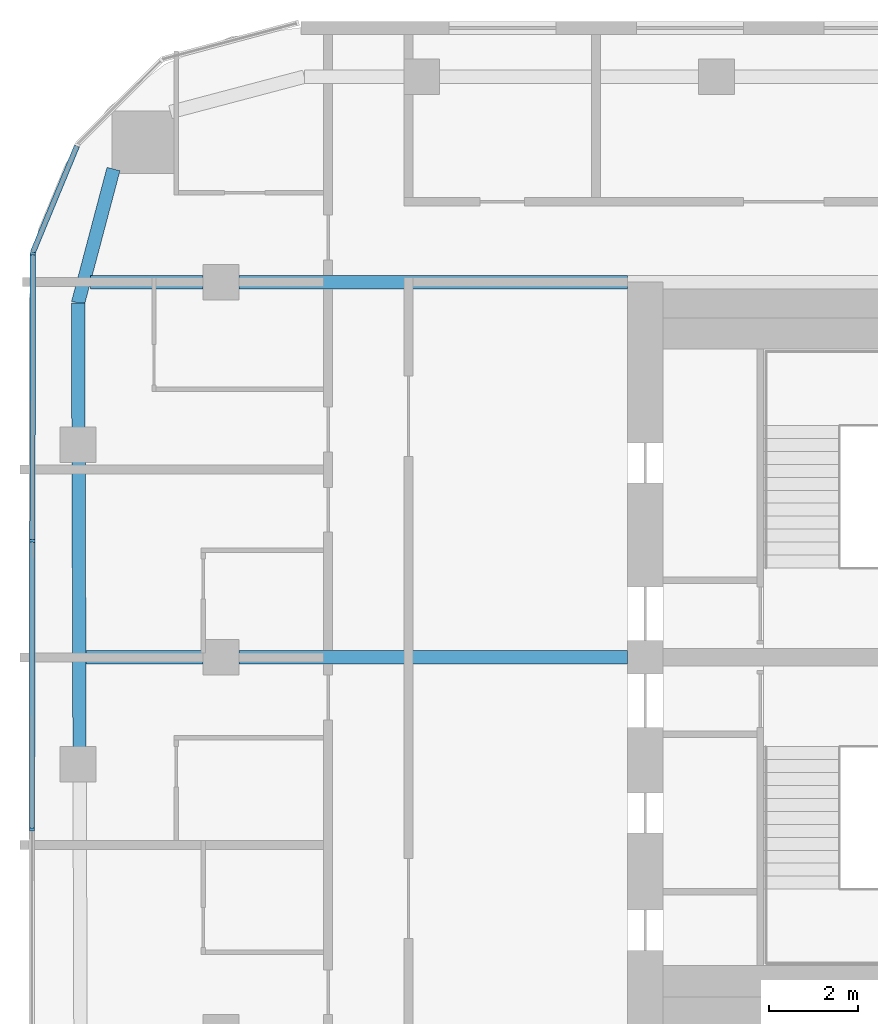
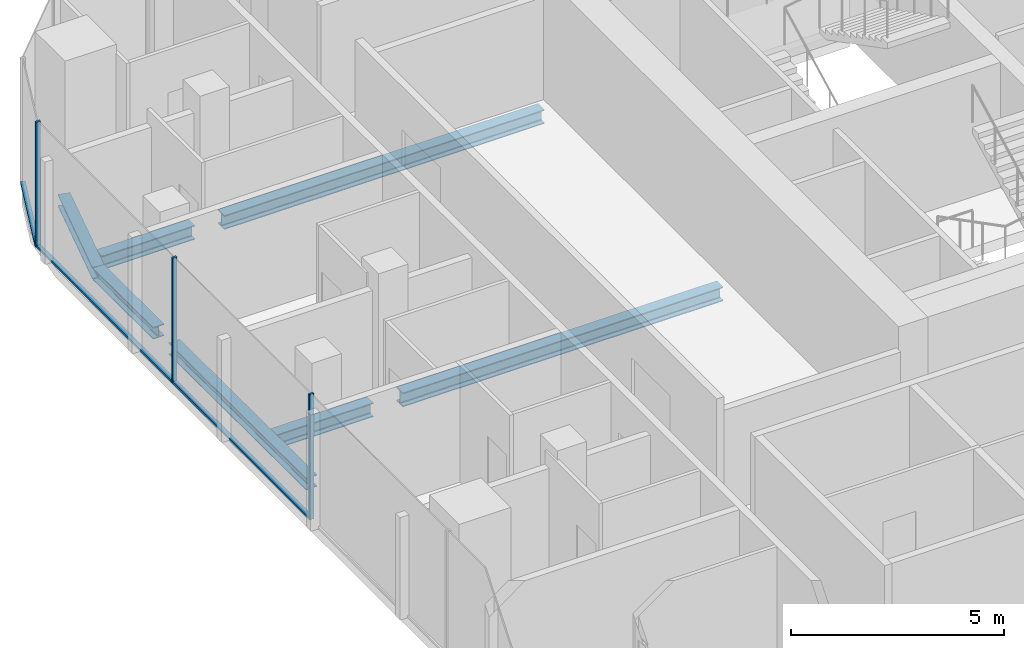
# One storey, part 8 of 22: 7 beams, 6 members, 2 elements without a shape of their own.
"""IFC4 building model written with IfcOpenShell, lengths in metres."""

from ifc_helpers import new_model, si_unit, direction, frame, origin, origin_2d, place, context, subcontext, project, spatial, rectangle, i_section, extrude, material, layer, layer_set, material_profile, profile_set, type_object, element, aggregate, save


model = new_model("IFC4")

# Units and contexts
model_context = context("Model", 3, precision=1e-05, world=origin(), true_north=direction((0.0, 1.0)))
body_context = subcontext(model_context, "Body", "Model", "MODEL_VIEW")
ifc_project = project(units=[si_unit("LENGTHUNIT", "METRE"), si_unit("AREAUNIT", "SQUARE_METRE"), si_unit("VOLUMEUNIT", "CUBIC_METRE"), si_unit("PLANEANGLEUNIT", "RADIAN"), si_unit("MASSUNIT", "GRAM", prefix="KILO")], contexts=[model_context])

# Site, building, storey
site_placement = place(None, origin())
site = spatial("IfcSite", under=ifc_project, at=site_placement, CompositionType="ELEMENT")
building_placement = place(site_placement, origin())
building = spatial("IfcBuilding", under=site, at=building_placement, Name="Marenta Gate Hotel Tower", CompositionType="ELEMENT")
storey_placement = place(building_placement, frame((0.0, 0.0, 194.89990234375)))
storey = spatial("IfcBuildingStorey", under=building, at=storey_placement, Name="L44", CompositionType="ELEMENT", Elevation=194.89990234375)

# Beams
ifc_material_1 = material(Name="Steel S355", Category="steel")
ifc_material_profile_1 = material_profile(ifc_material_1, i_section(OverallWidth=0.300048828125, OverallDepth=0.340087890625, WebThickness=0.011962890625, FlangeThickness=0.021484375, FilletRadius=0.027099609375, at=origin_2d()), Name="HEB 340")
ifc_profile_set_1 = profile_set([ifc_material_profile_1], Name="Steel S355")
beam_type_1 = type_object("IfcBeamType", Name="Edge beam HEB 340", PredefinedType="SPANDREL", material=ifc_profile_set_1)
beam_1_placement = place(storey_placement, frame((-24.166748046875, 6.36328125, -0.429931640625), z_axis=(-0.00333963982, 0.999994423387, 0.0), x_axis=(-0.999994423387, -0.00333963982, 0.0)))
element("IfcBeam", 1, at=beam_1_placement, inside=storey, type_object=beam_type_1, Name="L44-EB-9", PredefinedType="SPANDREL", context=body_context, shape_type="SweptSolid", body=[
    extrude(i_section(OverallWidth=0.300048828125, OverallDepth=0.340087890625, WebThickness=0.011962890625, FlangeThickness=0.021484375, FilletRadius=0.027099609375, at=origin_2d()), origin(), (0.0, 0.0, 1.0), 6.43310546875),
])
beam_2_placement = place(storey_placement, frame((-24.190673828125, 13.516357421875, -0.429931640625), z_axis=(-0.003292020626, 0.999994581285, 0.0), x_axis=(-0.999994581285, -0.003292020626, 0.0)))
element("IfcBeam", 2, at=beam_2_placement, inside=storey, type_object=beam_type_1, Name="L44-EB-10", PredefinedType="SPANDREL", context=body_context, shape_type="SweptSolid", body=[
    extrude(i_section(OverallWidth=0.300048828125, OverallDepth=0.340087890625, WebThickness=0.011962890625, FlangeThickness=0.021484375, FilletRadius=0.027099609375, at=origin_2d()), origin(), (0.0, 0.0, 1.0), 2.818115234375),
])
beam_3_placement = place(storey_placement, frame((-24.199951171875, 16.33447265625, -0.429931640625), z_axis=(0.255648013319, 0.966769927794, 0.0), x_axis=(-0.966769927794, 0.255648013319, 0.0)))
element("IfcBeam", 3, at=beam_3_placement, inside=storey, type_object=beam_type_1, Name="L44-EB-11", PredefinedType="SPANDREL", context=body_context, shape_type="SweptSolid", body=[
    extrude(i_section(OverallWidth=0.300048828125, OverallDepth=0.340087890625, WebThickness=0.011962890625, FlangeThickness=0.021484375, FilletRadius=0.027099609375, at=origin_2d()), origin(), (0.0, 0.0, 1.0), 3.100830078125),
])
ifc_material_2 = material(Name="Steel S355", Category="steel")
ifc_material_profile_2 = material_profile(ifc_material_2, i_section(OverallWidth=0.300048828125, OverallDepth=0.39990234375, WebThickness=0.013427734375, FlangeThickness=0.02392578125, FilletRadius=0.027099609375, at=origin_2d()), Name="HEB 400")
ifc_profile_set_2 = profile_set([ifc_material_profile_2], Name="Steel S355")
beam_type_2 = type_object("IfcBeamType", Name="Girder HEB 400", PredefinedType="BEAM", material=ifc_profile_set_2)
beam_4_placement = place(storey_placement, frame((-24.023681640625, 8.39990234375, -0.4599609375), z_axis=(1.0, 0.0, 0.0), x_axis=(0.0, 1.0, 0.0)))
element("IfcBeam", 4, at=beam_4_placement, inside=storey, type_object=beam_type_2, Name="L44-GD-25", PredefinedType="BEAM", context=body_context, shape_type="SweptSolid", body=[
    extrude(i_section(OverallWidth=0.300048828125, OverallDepth=0.39990234375, WebThickness=0.013427734375, FlangeThickness=0.02392578125, FilletRadius=0.027099609375, at=origin_2d()), origin(), (0.0, 0.0, 1.0), 2.623779296875),
])
beam_5_placement = place(storey_placement, frame((-20.60009765625, 8.39990234375, -0.4599609375), z_axis=(1.0, 0.0, 0.0), x_axis=(0.0, 1.0, 0.0)))
element("IfcBeam", 5, at=beam_5_placement, inside=storey, type_object=beam_type_2, Name="L44-GD-26", PredefinedType="BEAM", context=body_context, shape_type="SweptSolid", body=[
    extrude(i_section(OverallWidth=0.300048828125, OverallDepth=0.39990234375, WebThickness=0.013427734375, FlangeThickness=0.02392578125, FilletRadius=0.027099609375, at=origin_2d()), origin(), (0.0, 0.0, 1.0), 8.7001953125),
])
beam_6_placement = place(storey_placement, frame((-23.921630859375, 16.800048828125, -0.4599609375), z_axis=(1.0, 0.0, 0.0), x_axis=(0.0, 1.0, 0.0)))
element("IfcBeam", 6, at=beam_6_placement, inside=storey, type_object=beam_type_2, Name="L44-GD-29", PredefinedType="BEAM", context=body_context, shape_type="SweptSolid", body=[
    extrude(i_section(OverallWidth=0.300048828125, OverallDepth=0.39990234375, WebThickness=0.013427734375, FlangeThickness=0.02392578125, FilletRadius=0.027099609375, at=origin_2d()), origin(), (0.0, 0.0, 1.0), 2.521728515625),
])
beam_7_placement = place(storey_placement, frame((-20.60009765625, 16.800048828125, -0.4599609375), z_axis=(1.0, 0.0, 0.0), x_axis=(0.0, 1.0, 0.0)))
element("IfcBeam", 7, at=beam_7_placement, inside=storey, type_object=beam_type_2, Name="L44-GD-30", PredefinedType="BEAM", context=body_context, shape_type="SweptSolid", body=[
    extrude(i_section(OverallWidth=0.300048828125, OverallDepth=0.39990234375, WebThickness=0.013427734375, FlangeThickness=0.02392578125, FilletRadius=0.027099609375, at=origin_2d()), origin(), (0.0, 0.0, 1.0), 8.7001953125),
])

# Curtain wall, members
ifc_material_3 = material(Name="Tinted insulated glass in bronze anodised frame", Category="glass")
ifc_layer = layer(ifc_material_3, 0.1201171875)
ifc_layer_set = layer_set([ifc_layer], Name="Tinted insulated glass in bronze anodised frame")
curtain_wall_type = type_object("IfcCurtainWallType", Name="Tower unitised curtain wall CW1", PredefinedType="NOTDEFINED", material=ifc_layer_set)
curtain_wall_1_placement = place(storey_placement, origin())
curtain_wall_1 = element("IfcCurtainWall", 8, at=curtain_wall_1_placement, inside=storey, type_object=curtain_wall_type, Name="CW1 run G03", PredefinedType="NOTDEFINED")
ifc_material_4 = material(Name="Bronze anodised aluminium", Category="aluminium")
ifc_material_profile_3 = material_profile(ifc_material_4, rectangle(XDim=0.1201171875, YDim=0.06005859375, at=origin_2d()), Name="Mullion CW1 60x120 bronze anodised aluminium")
ifc_profile_set_3 = profile_set([ifc_material_profile_3], Name="Bronze anodised aluminium")
member_type_1 = type_object("IfcMemberType", Name="Mullion CW1 60x120 bronze anodised aluminium", PredefinedType="MULLION", material=ifc_profile_set_3)
member_1_placement = place(storey_placement, frame((-25.21240234375, 17.436279296875, 0.0), z_axis=(0.0, 0.0, 1.0), x_axis=(0.99999877375, -0.001566045546, 0.0)))
member_1 = element("IfcMember", 9, at=member_1_placement, type_object=member_type_1, Name="CW1 mullion 1", PredefinedType="MULLION", context=body_context, shape_type="SweptSolid", body=[
    extrude(rectangle(XDim=0.1201171875, YDim=0.06005859375, at=origin_2d()), origin(), (0.0, 0.0, 1.0), 3.60009765625),
])
member_2_placement = place(storey_placement, frame((-25.222412109375, 11.006103515625, 0.0), z_axis=(0.0, 0.0, 1.0), x_axis=(0.99999877375, -0.001566045546, 0.0)))
member_2 = element("IfcMember", 10, at=member_2_placement, type_object=member_type_1, Name="CW1 mullion 2", PredefinedType="MULLION", context=body_context, shape_type="SweptSolid", body=[
    extrude(rectangle(XDim=0.1201171875, YDim=0.06005859375, at=origin_2d()), origin(), (0.0, 0.0, 1.0), 3.60009765625),
])
member_3_placement = place(storey_placement, frame((-25.232421875, 4.546142578125, 0.0), z_axis=(0.0, 0.0, 1.0), x_axis=(0.99999877375, -0.001566045546, 0.0)))
member_3 = element("IfcMember", 11, at=member_3_placement, type_object=member_type_1, Name="CW1 mullion 3", PredefinedType="MULLION", context=body_context, shape_type="SweptSolid", body=[
    extrude(rectangle(XDim=0.1201171875, YDim=0.06005859375, at=origin_2d()), origin(), (0.0, 0.0, 1.0), 3.60009765625),
])

# Curtain wall, member
curtain_wall_2_placement = place(storey_placement, origin())
curtain_wall_2 = element("IfcCurtainWall", 12, at=curtain_wall_2_placement, inside=storey, type_object=curtain_wall_type, Name="CW1 run G02", PredefinedType="NOTDEFINED")
ifc_material_5 = material(Name="Bronze anodised aluminium", Category="aluminium")
ifc_material_profile_4 = material_profile(ifc_material_5, rectangle(XDim=0.1201171875, YDim=0.06005859375, at=origin_2d()), Name="Transom CW1 60x120 bronze anodised aluminium")
ifc_profile_set_4 = profile_set([ifc_material_profile_4], Name="Bronze anodised aluminium")
member_type_2 = type_object("IfcMemberType", Name="Transom CW1 60x120 bronze anodised aluminium", PredefinedType="USERDEFINED", material=ifc_profile_set_4)
member_4_placement = place(storey_placement, frame((-24.2265625, 19.845947265625, 0.030029296875), z_axis=(-0.382736860682, -0.923857399968, 0.0), x_axis=(0.923857399968, -0.382736860682, 0.0)))
member_4 = element("IfcMember", 13, at=member_4_placement, type_object=member_type_2, Name="CW1 transom 1.1", ObjectType="TRANSOM", PredefinedType="USERDEFINED", context=body_context, shape_type="SweptSolid", body=[
    extrude(rectangle(XDim=0.1201171875, YDim=0.06005859375, at=origin_2d()), origin(), (0.0, 0.0, 1.0), 2.57568359375),
])
aggregate(curtain_wall_2, [member_4])

# Member
member_5_placement = place(storey_placement, frame((-25.21240234375, 17.40625, 0.030029296875), z_axis=(-0.00157136093, -0.999998765412, 0.0), x_axis=(0.999998765412, -0.00157136093, 0.0)))
member_5 = element("IfcMember", 14, at=member_5_placement, type_object=member_type_2, Name="CW1 transom 1.1", ObjectType="TRANSOM", PredefinedType="USERDEFINED", context=body_context, shape_type="SweptSolid", body=[
    extrude(rectangle(XDim=0.1201171875, YDim=0.06005859375, at=origin_2d()), origin(), (0.0, 0.0, 1.0), 6.3701171875),
])

member_6_placement = place(storey_placement, frame((-25.222412109375, 10.976318359375, 0.030029296875), z_axis=(-0.001563988169, -0.99999877697, 0.0), x_axis=(0.99999877697, -0.001563988169, 0.0)))
member_6 = element("IfcMember", 15, at=member_6_placement, type_object=member_type_2, Name="CW1 transom 2.1", ObjectType="TRANSOM", PredefinedType="USERDEFINED", context=body_context, shape_type="SweptSolid", body=[
    extrude(rectangle(XDim=0.1201171875, YDim=0.06005859375, at=origin_2d()), origin(), (0.0, 0.0, 1.0), 6.400146484375),
])

aggregate(curtain_wall_1, [member_1, member_2, member_3, member_5, member_6])

save(model, "model.ifc")
